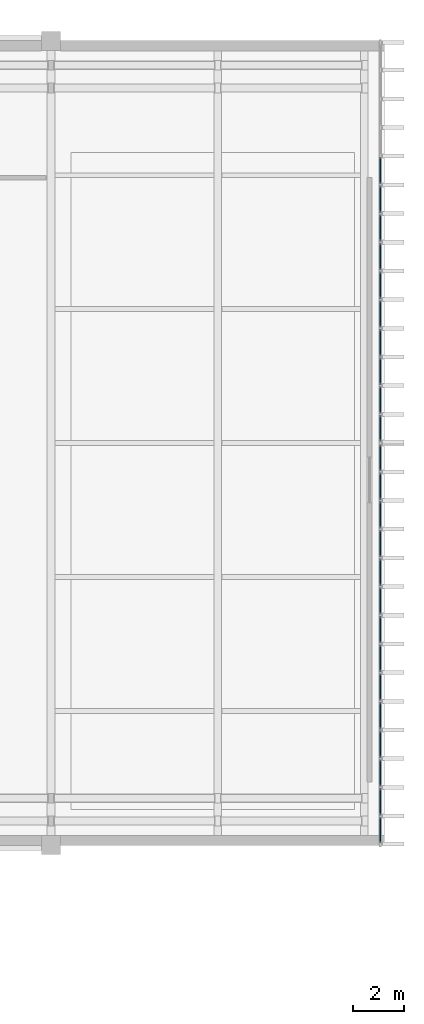
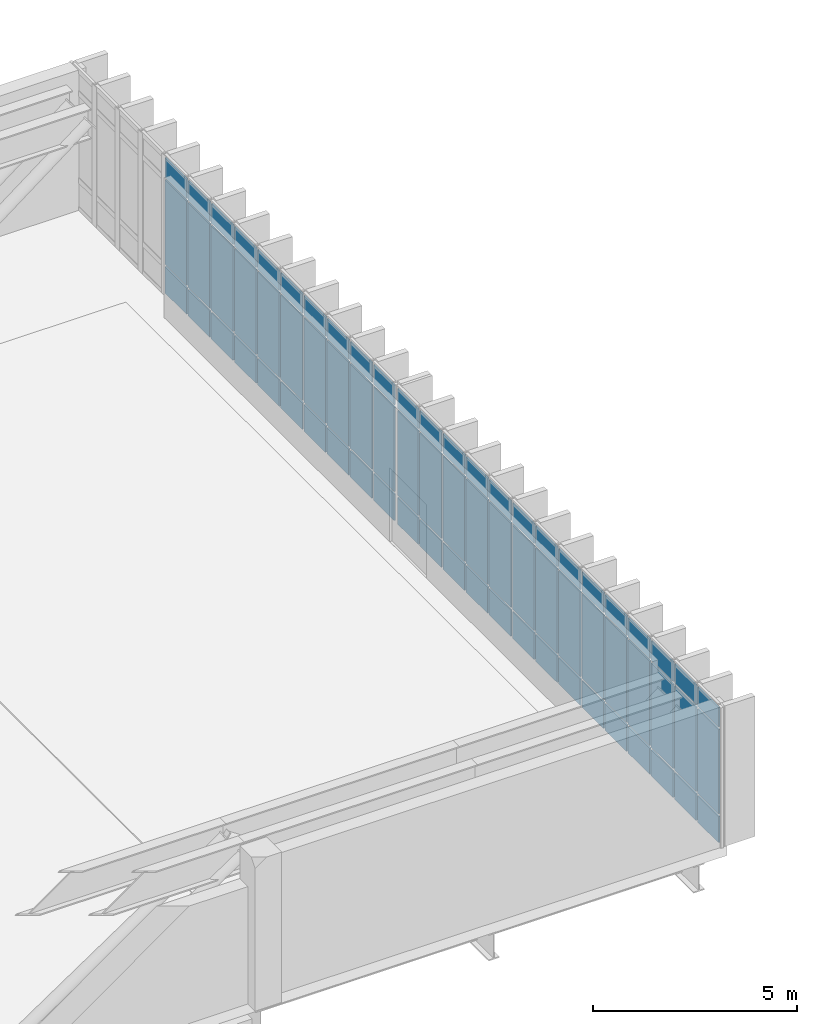
# One storey, part 34 of 54: 72 plates, 2 elements without a shape of their own.
"""IFC4 building model written with IfcOpenShell, lengths in metres."""

from ifc_helpers import new_model, si_unit, direction, frame, origin, origin_2d, place, context, subcontext, project, spatial, rectangle, extrude, material, layer, layer_set, type_object, element, aggregate, save


model = new_model("IFC4")

# Units and contexts
model_context = context("Model", 3, precision=1e-05, world=origin(), true_north=direction((0.0, 1.0)))
body_context = subcontext(model_context, "Body", "Model", "MODEL_VIEW")
ifc_project = project(units=[si_unit("LENGTHUNIT", "METRE"), si_unit("AREAUNIT", "SQUARE_METRE"), si_unit("VOLUMEUNIT", "CUBIC_METRE"), si_unit("PLANEANGLEUNIT", "RADIAN"), si_unit("MASSUNIT", "GRAM", prefix="KILO")], contexts=[model_context])

# Site, building, storey
site_placement = place(None, origin())
site = spatial("IfcSite", under=ifc_project, at=site_placement, CompositionType="ELEMENT")
building_placement = place(site_placement, origin())
building = spatial("IfcBuilding", under=site, at=building_placement, Name="Kelarvand Opera House", CompositionType="ELEMENT")
storey_placement = place(building_placement, frame((0.0, 0.0, 15.0)))
storey = spatial("IfcBuildingStorey", under=building, at=storey_placement, Name="L03", CompositionType="ELEMENT", Elevation=15.0)

# Curtain wall, plates
ifc_material_1 = material(Name="Thermally broken aluminium and low-E glazing", Category="aluminium")
ifc_layer_1 = layer(ifc_material_1, 0.219970703125, Name="Thermally broken aluminium and low-E glazing", Category="aluminium")
ifc_layer_set_1 = layer_set([ifc_layer_1], Name="Thermally broken aluminium and low-E glazing")
curtain_wall_type = type_object("IfcCurtainWallType", Name="Unitised Low-E Curtain Wall 15886x4200 Mod 1150 CWF-07", PredefinedType="USERDEFINED", material=ifc_layer_set_1)
curtain_wall_1_placement = place(storey_placement, origin())
curtain_wall_1 = element("IfcCurtainWall", 1, at=curtain_wall_1_placement, inside=storey, type_object=curtain_wall_type, Name="V1 L03 Curtain Wall CWF-07 (21)", ObjectType="UNITISED CURTAIN WALL", PredefinedType="USERDEFINED")
ifc_material_2 = material(Name="Acoustic triple-laminated low-E glazing", Category="glass")
ifc_layer_2 = layer(ifc_material_2, 0.0400390625, Name="Acoustic triple-laminated low-E glazing", Category="glass")
ifc_layer_set_2 = layer_set([ifc_layer_2], Name="Acoustic triple-laminated low-E glazing")
plate_type = type_object("IfcPlateType", Name="Acoustic Laminated Plaza Curtain Panel 40mm", PredefinedType="CURTAIN_PANEL", material=ifc_layer_set_2)
plate_1_placement = place(storey_placement, frame((154.820068359375, 73.28369140625, 0.074951171875), z_axis=(0.0, 0.0, 1.0), x_axis=(0.0, -1.0, 0.0)))
plate_1 = element("IfcPlate", 2, at=plate_1_placement, type_object=plate_type, Name="CWF-07 panel 5.1", PredefinedType="CURTAIN_PANEL", context=body_context, shape_type="SweptSolid", body=[
    extrude(rectangle(XDim=1.059814453125, YDim=0.0400390625, at=origin_2d()), origin(), (0.0, 0.0, 1.0), 0.78759765625),
])
plate_2_placement = place(storey_placement, frame((154.820068359375, 73.28369140625, 0.9375), z_axis=(0.0, 0.0, 1.0), x_axis=(0.0, -1.0, 0.0)))
plate_2 = element("IfcPlate", 3, at=plate_2_placement, type_object=plate_type, Name="CWF-07 panel 5.2", PredefinedType="CURTAIN_PANEL", context=body_context, shape_type="SweptSolid", body=[
    extrude(rectangle(XDim=1.059814453125, YDim=0.0400390625, at=origin_2d()), origin(), (0.0, 0.0, 1.0), 2.52490234375),
])
plate_3_placement = place(storey_placement, frame((154.820068359375, 73.28369140625, 3.53759765625), z_axis=(0.0, 0.0, 1.0), x_axis=(0.0, -1.0, 0.0)))
plate_3 = element("IfcPlate", 4, at=plate_3_placement, type_object=plate_type, Name="CWF-07 panel 5.3", PredefinedType="CURTAIN_PANEL", context=body_context, shape_type="SweptSolid", body=[
    extrude(rectangle(XDim=1.059814453125, YDim=0.0400390625, at=origin_2d()), origin(), (0.0, 0.0, 1.0), 0.58740234375),
])
plate_4_placement = place(storey_placement, frame((154.820068359375, 72.149169921875, 0.074951171875), z_axis=(0.0, 0.0, 1.0), x_axis=(0.0, -1.0, 0.0)))
plate_4 = element("IfcPlate", 5, at=plate_4_placement, type_object=plate_type, Name="CWF-07 panel 6.1", PredefinedType="CURTAIN_PANEL", context=body_context, shape_type="SweptSolid", body=[
    extrude(rectangle(XDim=1.059814453125, YDim=0.0400390625, at=origin_2d()), origin(), (0.0, 0.0, 1.0), 0.78759765625),
])
plate_5_placement = place(storey_placement, frame((154.820068359375, 72.149169921875, 0.9375), z_axis=(0.0, 0.0, 1.0), x_axis=(0.0, -1.0, 0.0)))
plate_5 = element("IfcPlate", 6, at=plate_5_placement, type_object=plate_type, Name="CWF-07 panel 6.2", PredefinedType="CURTAIN_PANEL", context=body_context, shape_type="SweptSolid", body=[
    extrude(rectangle(XDim=1.059814453125, YDim=0.0400390625, at=origin_2d()), origin(), (0.0, 0.0, 1.0), 2.52490234375),
])
plate_6_placement = place(storey_placement, frame((154.820068359375, 72.149169921875, 3.53759765625), z_axis=(0.0, 0.0, 1.0), x_axis=(0.0, -1.0, 0.0)))
plate_6 = element("IfcPlate", 7, at=plate_6_placement, type_object=plate_type, Name="CWF-07 panel 6.3", PredefinedType="CURTAIN_PANEL", context=body_context, shape_type="SweptSolid", body=[
    extrude(rectangle(XDim=1.059814453125, YDim=0.0400390625, at=origin_2d()), origin(), (0.0, 0.0, 1.0), 0.58740234375),
])
plate_7_placement = place(storey_placement, frame((154.820068359375, 71.014404296875, 0.074951171875), z_axis=(0.0, 0.0, 1.0), x_axis=(0.0, -1.0, 0.0)))
plate_7 = element("IfcPlate", 8, at=plate_7_placement, type_object=plate_type, Name="CWF-07 panel 7.1", PredefinedType="CURTAIN_PANEL", context=body_context, shape_type="SweptSolid", body=[
    extrude(rectangle(XDim=1.059814453125, YDim=0.0400390625, at=origin_2d()), origin(), (0.0, 0.0, 1.0), 0.78759765625),
])
plate_8_placement = place(storey_placement, frame((154.820068359375, 71.014404296875, 0.9375), z_axis=(0.0, 0.0, 1.0), x_axis=(0.0, -1.0, 0.0)))
plate_8 = element("IfcPlate", 9, at=plate_8_placement, type_object=plate_type, Name="CWF-07 panel 7.2", PredefinedType="CURTAIN_PANEL", context=body_context, shape_type="SweptSolid", body=[
    extrude(rectangle(XDim=1.059814453125, YDim=0.0400390625, at=origin_2d()), origin(), (0.0, 0.0, 1.0), 2.52490234375),
])
plate_9_placement = place(storey_placement, frame((154.820068359375, 71.014404296875, 3.53759765625), z_axis=(0.0, 0.0, 1.0), x_axis=(0.0, -1.0, 0.0)))
plate_9 = element("IfcPlate", 10, at=plate_9_placement, type_object=plate_type, Name="CWF-07 panel 7.3", PredefinedType="CURTAIN_PANEL", context=body_context, shape_type="SweptSolid", body=[
    extrude(rectangle(XDim=1.059814453125, YDim=0.0400390625, at=origin_2d()), origin(), (0.0, 0.0, 1.0), 0.58740234375),
])
plate_10_placement = place(storey_placement, frame((154.820068359375, 69.879638671875, 0.074951171875), z_axis=(0.0, 0.0, 1.0), x_axis=(0.0, -1.0, 0.0)))
plate_10 = element("IfcPlate", 11, at=plate_10_placement, type_object=plate_type, Name="CWF-07 panel 8.1", PredefinedType="CURTAIN_PANEL", context=body_context, shape_type="SweptSolid", body=[
    extrude(rectangle(XDim=1.059814453125, YDim=0.0400390625, at=origin_2d()), origin(), (0.0, 0.0, 1.0), 0.78759765625),
])
plate_11_placement = place(storey_placement, frame((154.820068359375, 69.879638671875, 0.9375), z_axis=(0.0, 0.0, 1.0), x_axis=(0.0, -1.0, 0.0)))
plate_11 = element("IfcPlate", 12, at=plate_11_placement, type_object=plate_type, Name="CWF-07 panel 8.2", PredefinedType="CURTAIN_PANEL", context=body_context, shape_type="SweptSolid", body=[
    extrude(rectangle(XDim=1.059814453125, YDim=0.0400390625, at=origin_2d()), origin(), (0.0, 0.0, 1.0), 2.52490234375),
])
plate_12_placement = place(storey_placement, frame((154.820068359375, 69.879638671875, 3.53759765625), z_axis=(0.0, 0.0, 1.0), x_axis=(0.0, -1.0, 0.0)))
plate_12 = element("IfcPlate", 13, at=plate_12_placement, type_object=plate_type, Name="CWF-07 panel 8.3", PredefinedType="CURTAIN_PANEL", context=body_context, shape_type="SweptSolid", body=[
    extrude(rectangle(XDim=1.059814453125, YDim=0.0400390625, at=origin_2d()), origin(), (0.0, 0.0, 1.0), 0.58740234375),
])
plate_13_placement = place(storey_placement, frame((154.820068359375, 68.744873046875, 0.074951171875), z_axis=(0.0, 0.0, 1.0), x_axis=(0.0, -1.0, 0.0)))
plate_13 = element("IfcPlate", 14, at=plate_13_placement, type_object=plate_type, Name="CWF-07 panel 9.1", PredefinedType="CURTAIN_PANEL", context=body_context, shape_type="SweptSolid", body=[
    extrude(rectangle(XDim=1.059814453125, YDim=0.0400390625, at=origin_2d()), origin(), (0.0, 0.0, 1.0), 0.78759765625),
])
plate_14_placement = place(storey_placement, frame((154.820068359375, 68.744873046875, 0.9375), z_axis=(0.0, 0.0, 1.0), x_axis=(0.0, -1.0, 0.0)))
plate_14 = element("IfcPlate", 15, at=plate_14_placement, type_object=plate_type, Name="CWF-07 panel 9.2", PredefinedType="CURTAIN_PANEL", context=body_context, shape_type="SweptSolid", body=[
    extrude(rectangle(XDim=1.059814453125, YDim=0.0400390625, at=origin_2d()), origin(), (0.0, 0.0, 1.0), 2.52490234375),
])
plate_15_placement = place(storey_placement, frame((154.820068359375, 68.744873046875, 3.53759765625), z_axis=(0.0, 0.0, 1.0), x_axis=(0.0, -1.0, 0.0)))
plate_15 = element("IfcPlate", 16, at=plate_15_placement, type_object=plate_type, Name="CWF-07 panel 9.3", PredefinedType="CURTAIN_PANEL", context=body_context, shape_type="SweptSolid", body=[
    extrude(rectangle(XDim=1.059814453125, YDim=0.0400390625, at=origin_2d()), origin(), (0.0, 0.0, 1.0), 0.58740234375),
])
plate_16_placement = place(storey_placement, frame((154.820068359375, 67.610107421875, 0.074951171875), z_axis=(0.0, 0.0, 1.0), x_axis=(0.0, -1.0, 0.0)))
plate_16 = element("IfcPlate", 17, at=plate_16_placement, type_object=plate_type, Name="CWF-07 panel 10.1", PredefinedType="CURTAIN_PANEL", context=body_context, shape_type="SweptSolid", body=[
    extrude(rectangle(XDim=1.059814453125, YDim=0.0400390625, at=origin_2d()), origin(), (0.0, 0.0, 1.0), 0.78759765625),
])
plate_17_placement = place(storey_placement, frame((154.820068359375, 67.610107421875, 0.9375), z_axis=(0.0, 0.0, 1.0), x_axis=(0.0, -1.0, 0.0)))
plate_17 = element("IfcPlate", 18, at=plate_17_placement, type_object=plate_type, Name="CWF-07 panel 10.2", PredefinedType="CURTAIN_PANEL", context=body_context, shape_type="SweptSolid", body=[
    extrude(rectangle(XDim=1.059814453125, YDim=0.0400390625, at=origin_2d()), origin(), (0.0, 0.0, 1.0), 2.52490234375),
])
plate_18_placement = place(storey_placement, frame((154.820068359375, 67.610107421875, 3.53759765625), z_axis=(0.0, 0.0, 1.0), x_axis=(0.0, -1.0, 0.0)))
plate_18 = element("IfcPlate", 19, at=plate_18_placement, type_object=plate_type, Name="CWF-07 panel 10.3", PredefinedType="CURTAIN_PANEL", context=body_context, shape_type="SweptSolid", body=[
    extrude(rectangle(XDim=1.059814453125, YDim=0.0400390625, at=origin_2d()), origin(), (0.0, 0.0, 1.0), 0.58740234375),
])
plate_19_placement = place(storey_placement, frame((154.820068359375, 66.4755859375, 0.074951171875), z_axis=(0.0, 0.0, 1.0), x_axis=(0.0, -1.0, 0.0)))
plate_19 = element("IfcPlate", 20, at=plate_19_placement, type_object=plate_type, Name="CWF-07 panel 11.1", PredefinedType="CURTAIN_PANEL", context=body_context, shape_type="SweptSolid", body=[
    extrude(rectangle(XDim=1.059814453125, YDim=0.0400390625, at=origin_2d()), origin(), (0.0, 0.0, 1.0), 0.78759765625),
])
plate_20_placement = place(storey_placement, frame((154.820068359375, 66.4755859375, 0.9375), z_axis=(0.0, 0.0, 1.0), x_axis=(0.0, -1.0, 0.0)))
plate_20 = element("IfcPlate", 21, at=plate_20_placement, type_object=plate_type, Name="CWF-07 panel 11.2", PredefinedType="CURTAIN_PANEL", context=body_context, shape_type="SweptSolid", body=[
    extrude(rectangle(XDim=1.059814453125, YDim=0.0400390625, at=origin_2d()), origin(), (0.0, 0.0, 1.0), 2.52490234375),
])
plate_21_placement = place(storey_placement, frame((154.820068359375, 66.4755859375, 3.53759765625), z_axis=(0.0, 0.0, 1.0), x_axis=(0.0, -1.0, 0.0)))
plate_21 = element("IfcPlate", 22, at=plate_21_placement, type_object=plate_type, Name="CWF-07 panel 11.3", PredefinedType="CURTAIN_PANEL", context=body_context, shape_type="SweptSolid", body=[
    extrude(rectangle(XDim=1.059814453125, YDim=0.0400390625, at=origin_2d()), origin(), (0.0, 0.0, 1.0), 0.58740234375),
])
plate_22_placement = place(storey_placement, frame((154.820068359375, 65.3408203125, 0.074951171875), z_axis=(0.0, 0.0, 1.0), x_axis=(0.0, -1.0, 0.0)))
plate_22 = element("IfcPlate", 23, at=plate_22_placement, type_object=plate_type, Name="CWF-07 panel 12.1", PredefinedType="CURTAIN_PANEL", context=body_context, shape_type="SweptSolid", body=[
    extrude(rectangle(XDim=1.059814453125, YDim=0.0400390625, at=origin_2d()), origin(), (0.0, 0.0, 1.0), 0.78759765625),
])
plate_23_placement = place(storey_placement, frame((154.820068359375, 65.3408203125, 0.9375), z_axis=(0.0, 0.0, 1.0), x_axis=(0.0, -1.0, 0.0)))
plate_23 = element("IfcPlate", 24, at=plate_23_placement, type_object=plate_type, Name="CWF-07 panel 12.2", PredefinedType="CURTAIN_PANEL", context=body_context, shape_type="SweptSolid", body=[
    extrude(rectangle(XDim=1.059814453125, YDim=0.0400390625, at=origin_2d()), origin(), (0.0, 0.0, 1.0), 2.52490234375),
])
plate_24_placement = place(storey_placement, frame((154.820068359375, 65.3408203125, 3.53759765625), z_axis=(0.0, 0.0, 1.0), x_axis=(0.0, -1.0, 0.0)))
plate_24 = element("IfcPlate", 25, at=plate_24_placement, type_object=plate_type, Name="CWF-07 panel 12.3", PredefinedType="CURTAIN_PANEL", context=body_context, shape_type="SweptSolid", body=[
    extrude(rectangle(XDim=1.059814453125, YDim=0.0400390625, at=origin_2d()), origin(), (0.0, 0.0, 1.0), 0.58740234375),
])
plate_25_placement = place(storey_placement, frame((154.820068359375, 64.2060546875, 0.074951171875), z_axis=(0.0, 0.0, 1.0), x_axis=(0.0, -1.0, 0.0)))
plate_25 = element("IfcPlate", 26, at=plate_25_placement, type_object=plate_type, Name="CWF-07 panel 13.1", PredefinedType="CURTAIN_PANEL", context=body_context, shape_type="SweptSolid", body=[
    extrude(rectangle(XDim=1.059814453125, YDim=0.0400390625, at=origin_2d()), origin(), (0.0, 0.0, 1.0), 0.78759765625),
])
plate_26_placement = place(storey_placement, frame((154.820068359375, 64.2060546875, 0.9375), z_axis=(0.0, 0.0, 1.0), x_axis=(0.0, -1.0, 0.0)))
plate_26 = element("IfcPlate", 27, at=plate_26_placement, type_object=plate_type, Name="CWF-07 panel 13.2", PredefinedType="CURTAIN_PANEL", context=body_context, shape_type="SweptSolid", body=[
    extrude(rectangle(XDim=1.059814453125, YDim=0.0400390625, at=origin_2d()), origin(), (0.0, 0.0, 1.0), 2.52490234375),
])
plate_27_placement = place(storey_placement, frame((154.820068359375, 64.2060546875, 3.53759765625), z_axis=(0.0, 0.0, 1.0), x_axis=(0.0, -1.0, 0.0)))
plate_27 = element("IfcPlate", 28, at=plate_27_placement, type_object=plate_type, Name="CWF-07 panel 13.3", PredefinedType="CURTAIN_PANEL", context=body_context, shape_type="SweptSolid", body=[
    extrude(rectangle(XDim=1.059814453125, YDim=0.0400390625, at=origin_2d()), origin(), (0.0, 0.0, 1.0), 0.58740234375),
])
plate_28_placement = place(storey_placement, frame((154.820068359375, 63.090087890625, 0.074951171875), z_axis=(0.0, 0.0, 1.0), x_axis=(0.0, -1.0, 0.0)))
plate_28 = element("IfcPlate", 29, at=plate_28_placement, type_object=plate_type, Name="CWF-07 panel 14.1", PredefinedType="CURTAIN_PANEL", context=body_context, shape_type="SweptSolid", body=[
    extrude(rectangle(XDim=1.022216796875, YDim=0.0400390625, at=origin_2d()), origin(), (0.0, 0.0, 1.0), 0.78759765625),
])
plate_29_placement = place(storey_placement, frame((154.820068359375, 63.090087890625, 0.9375), z_axis=(0.0, 0.0, 1.0), x_axis=(0.0, -1.0, 0.0)))
plate_29 = element("IfcPlate", 30, at=plate_29_placement, type_object=plate_type, Name="CWF-07 panel 14.2", PredefinedType="CURTAIN_PANEL", context=body_context, shape_type="SweptSolid", body=[
    extrude(rectangle(XDim=1.022216796875, YDim=0.0400390625, at=origin_2d()), origin(), (0.0, 0.0, 1.0), 2.52490234375),
])
plate_30_placement = place(storey_placement, frame((154.820068359375, 63.090087890625, 3.53759765625), z_axis=(0.0, 0.0, 1.0), x_axis=(0.0, -1.0, 0.0)))
plate_30 = element("IfcPlate", 31, at=plate_30_placement, type_object=plate_type, Name="CWF-07 panel 14.3", PredefinedType="CURTAIN_PANEL", context=body_context, shape_type="SweptSolid", body=[
    extrude(rectangle(XDim=1.022216796875, YDim=0.0400390625, at=origin_2d()), origin(), (0.0, 0.0, 1.0), 0.58740234375),
])
aggregate(curtain_wall_1, [plate_1, plate_2, plate_3, plate_4, plate_5, plate_6, plate_7, plate_8, plate_9, plate_10, plate_11, plate_12, plate_13, plate_14, plate_15, plate_16, plate_17, plate_18, plate_19, plate_20, plate_21, plate_22, plate_23, plate_24, plate_25, plate_26, plate_27, plate_28, plate_29, plate_30])

curtain_wall_2_placement = place(storey_placement, origin())
curtain_wall_2 = element("IfcCurtainWall", 32, at=curtain_wall_2_placement, inside=storey, type_object=curtain_wall_type, Name="V1 L03 Curtain Wall CWF-07 (22)", ObjectType="UNITISED CURTAIN WALL", PredefinedType="USERDEFINED")
plate_31_placement = place(storey_placement, frame((154.820068359375, 61.913818359375, 0.074951171875), z_axis=(0.0, 0.0, 1.0), x_axis=(0.0, -1.0, 0.0)))
plate_31 = element("IfcPlate", 33, at=plate_31_placement, type_object=plate_type, Name="CWF-07 panel 1.1", PredefinedType="CURTAIN_PANEL", context=body_context, shape_type="SweptSolid", body=[
    extrude(rectangle(XDim=1.0224609375, YDim=0.0400390625, at=origin_2d()), origin(), (0.0, 0.0, 1.0), 0.78759765625),
])
plate_32_placement = place(storey_placement, frame((154.820068359375, 61.913818359375, 0.9375), z_axis=(0.0, 0.0, 1.0), x_axis=(0.0, -1.0, 0.0)))
plate_32 = element("IfcPlate", 34, at=plate_32_placement, type_object=plate_type, Name="CWF-07 panel 1.2", PredefinedType="CURTAIN_PANEL", context=body_context, shape_type="SweptSolid", body=[
    extrude(rectangle(XDim=1.0224609375, YDim=0.0400390625, at=origin_2d()), origin(), (0.0, 0.0, 1.0), 2.52490234375),
])
plate_33_placement = place(storey_placement, frame((154.820068359375, 61.913818359375, 3.53759765625), z_axis=(0.0, 0.0, 1.0), x_axis=(0.0, -1.0, 0.0)))
plate_33 = element("IfcPlate", 35, at=plate_33_placement, type_object=plate_type, Name="CWF-07 panel 1.3", PredefinedType="CURTAIN_PANEL", context=body_context, shape_type="SweptSolid", body=[
    extrude(rectangle(XDim=1.0224609375, YDim=0.0400390625, at=origin_2d()), origin(), (0.0, 0.0, 1.0), 0.58740234375),
])
plate_34_placement = place(storey_placement, frame((154.820068359375, 60.797607421875, 0.074951171875), z_axis=(0.0, 0.0, 1.0), x_axis=(0.0, -1.0, 0.0)))
plate_34 = element("IfcPlate", 36, at=plate_34_placement, type_object=plate_type, Name="CWF-07 panel 2.1", PredefinedType="CURTAIN_PANEL", context=body_context, shape_type="SweptSolid", body=[
    extrude(rectangle(XDim=1.06005859375, YDim=0.0400390625, at=origin_2d()), origin(), (0.0, 0.0, 1.0), 0.78759765625),
])
plate_35_placement = place(storey_placement, frame((154.820068359375, 60.797607421875, 0.9375), z_axis=(0.0, 0.0, 1.0), x_axis=(0.0, -1.0, 0.0)))
plate_35 = element("IfcPlate", 37, at=plate_35_placement, type_object=plate_type, Name="CWF-07 panel 2.2", PredefinedType="CURTAIN_PANEL", context=body_context, shape_type="SweptSolid", body=[
    extrude(rectangle(XDim=1.06005859375, YDim=0.0400390625, at=origin_2d()), origin(), (0.0, 0.0, 1.0), 2.52490234375),
])
plate_36_placement = place(storey_placement, frame((154.820068359375, 60.797607421875, 3.53759765625), z_axis=(0.0, 0.0, 1.0), x_axis=(0.0, -1.0, 0.0)))
plate_36 = element("IfcPlate", 38, at=plate_36_placement, type_object=plate_type, Name="CWF-07 panel 2.3", PredefinedType="CURTAIN_PANEL", context=body_context, shape_type="SweptSolid", body=[
    extrude(rectangle(XDim=1.06005859375, YDim=0.0400390625, at=origin_2d()), origin(), (0.0, 0.0, 1.0), 0.58740234375),
])
plate_37_placement = place(storey_placement, frame((154.820068359375, 59.66259765625, 0.074951171875), z_axis=(0.0, 0.0, 1.0), x_axis=(0.0, -1.0, 0.0)))
plate_37 = element("IfcPlate", 39, at=plate_37_placement, type_object=plate_type, Name="CWF-07 panel 3.1", PredefinedType="CURTAIN_PANEL", context=body_context, shape_type="SweptSolid", body=[
    extrude(rectangle(XDim=1.06005859375, YDim=0.0400390625, at=origin_2d()), origin(), (0.0, 0.0, 1.0), 0.78759765625),
])
plate_38_placement = place(storey_placement, frame((154.820068359375, 59.66259765625, 0.9375), z_axis=(0.0, 0.0, 1.0), x_axis=(0.0, -1.0, 0.0)))
plate_38 = element("IfcPlate", 40, at=plate_38_placement, type_object=plate_type, Name="CWF-07 panel 3.2", PredefinedType="CURTAIN_PANEL", context=body_context, shape_type="SweptSolid", body=[
    extrude(rectangle(XDim=1.06005859375, YDim=0.0400390625, at=origin_2d()), origin(), (0.0, 0.0, 1.0), 2.52490234375),
])
plate_39_placement = place(storey_placement, frame((154.820068359375, 59.66259765625, 3.53759765625), z_axis=(0.0, 0.0, 1.0), x_axis=(0.0, -1.0, 0.0)))
plate_39 = element("IfcPlate", 41, at=plate_39_placement, type_object=plate_type, Name="CWF-07 panel 3.3", PredefinedType="CURTAIN_PANEL", context=body_context, shape_type="SweptSolid", body=[
    extrude(rectangle(XDim=1.06005859375, YDim=0.0400390625, at=origin_2d()), origin(), (0.0, 0.0, 1.0), 0.58740234375),
])
plate_40_placement = place(storey_placement, frame((154.820068359375, 58.527587890625, 0.074951171875), z_axis=(0.0, 0.0, 1.0), x_axis=(0.0, -1.0, 0.0)))
plate_40 = element("IfcPlate", 42, at=plate_40_placement, type_object=plate_type, Name="CWF-07 panel 4.1", PredefinedType="CURTAIN_PANEL", context=body_context, shape_type="SweptSolid", body=[
    extrude(rectangle(XDim=1.06005859375, YDim=0.0400390625, at=origin_2d()), origin(), (0.0, 0.0, 1.0), 0.78759765625),
])
plate_41_placement = place(storey_placement, frame((154.820068359375, 58.527587890625, 0.9375), z_axis=(0.0, 0.0, 1.0), x_axis=(0.0, -1.0, 0.0)))
plate_41 = element("IfcPlate", 43, at=plate_41_placement, type_object=plate_type, Name="CWF-07 panel 4.2", PredefinedType="CURTAIN_PANEL", context=body_context, shape_type="SweptSolid", body=[
    extrude(rectangle(XDim=1.06005859375, YDim=0.0400390625, at=origin_2d()), origin(), (0.0, 0.0, 1.0), 2.52490234375),
])
plate_42_placement = place(storey_placement, frame((154.820068359375, 58.527587890625, 3.53759765625), z_axis=(0.0, 0.0, 1.0), x_axis=(0.0, -1.0, 0.0)))
plate_42 = element("IfcPlate", 44, at=plate_42_placement, type_object=plate_type, Name="CWF-07 panel 4.3", PredefinedType="CURTAIN_PANEL", context=body_context, shape_type="SweptSolid", body=[
    extrude(rectangle(XDim=1.06005859375, YDim=0.0400390625, at=origin_2d()), origin(), (0.0, 0.0, 1.0), 0.58740234375),
])
plate_43_placement = place(storey_placement, frame((154.820068359375, 57.392578125, 0.074951171875), z_axis=(0.0, 0.0, 1.0), x_axis=(0.0, -1.0, 0.0)))
plate_43 = element("IfcPlate", 45, at=plate_43_placement, type_object=plate_type, Name="CWF-07 panel 5.1", PredefinedType="CURTAIN_PANEL", context=body_context, shape_type="SweptSolid", body=[
    extrude(rectangle(XDim=1.06005859375, YDim=0.0400390625, at=origin_2d()), origin(), (0.0, 0.0, 1.0), 0.78759765625),
])
plate_44_placement = place(storey_placement, frame((154.820068359375, 57.392578125, 0.9375), z_axis=(0.0, 0.0, 1.0), x_axis=(0.0, -1.0, 0.0)))
plate_44 = element("IfcPlate", 46, at=plate_44_placement, type_object=plate_type, Name="CWF-07 panel 5.2", PredefinedType="CURTAIN_PANEL", context=body_context, shape_type="SweptSolid", body=[
    extrude(rectangle(XDim=1.06005859375, YDim=0.0400390625, at=origin_2d()), origin(), (0.0, 0.0, 1.0), 2.52490234375),
])
plate_45_placement = place(storey_placement, frame((154.820068359375, 57.392578125, 3.53759765625), z_axis=(0.0, 0.0, 1.0), x_axis=(0.0, -1.0, 0.0)))
plate_45 = element("IfcPlate", 47, at=plate_45_placement, type_object=plate_type, Name="CWF-07 panel 5.3", PredefinedType="CURTAIN_PANEL", context=body_context, shape_type="SweptSolid", body=[
    extrude(rectangle(XDim=1.06005859375, YDim=0.0400390625, at=origin_2d()), origin(), (0.0, 0.0, 1.0), 0.58740234375),
])
plate_46_placement = place(storey_placement, frame((154.820068359375, 56.257568359375, 0.074951171875), z_axis=(0.0, 0.0, 1.0), x_axis=(0.0, -1.0, 0.0)))
plate_46 = element("IfcPlate", 48, at=plate_46_placement, type_object=plate_type, Name="CWF-07 panel 6.1", PredefinedType="CURTAIN_PANEL", context=body_context, shape_type="SweptSolid", body=[
    extrude(rectangle(XDim=1.06005859375, YDim=0.0400390625, at=origin_2d()), origin(), (0.0, 0.0, 1.0), 0.78759765625),
])
plate_47_placement = place(storey_placement, frame((154.820068359375, 56.257568359375, 0.9375), z_axis=(0.0, 0.0, 1.0), x_axis=(0.0, -1.0, 0.0)))
plate_47 = element("IfcPlate", 49, at=plate_47_placement, type_object=plate_type, Name="CWF-07 panel 6.2", PredefinedType="CURTAIN_PANEL", context=body_context, shape_type="SweptSolid", body=[
    extrude(rectangle(XDim=1.06005859375, YDim=0.0400390625, at=origin_2d()), origin(), (0.0, 0.0, 1.0), 2.52490234375),
])
plate_48_placement = place(storey_placement, frame((154.820068359375, 56.257568359375, 3.53759765625), z_axis=(0.0, 0.0, 1.0), x_axis=(0.0, -1.0, 0.0)))
plate_48 = element("IfcPlate", 50, at=plate_48_placement, type_object=plate_type, Name="CWF-07 panel 6.3", PredefinedType="CURTAIN_PANEL", context=body_context, shape_type="SweptSolid", body=[
    extrude(rectangle(XDim=1.06005859375, YDim=0.0400390625, at=origin_2d()), origin(), (0.0, 0.0, 1.0), 0.58740234375),
])
plate_49_placement = place(storey_placement, frame((154.820068359375, 55.12255859375, 0.074951171875), z_axis=(0.0, 0.0, 1.0), x_axis=(0.0, -1.0, 0.0)))
plate_49 = element("IfcPlate", 51, at=plate_49_placement, type_object=plate_type, Name="CWF-07 panel 7.1", PredefinedType="CURTAIN_PANEL", context=body_context, shape_type="SweptSolid", body=[
    extrude(rectangle(XDim=1.06005859375, YDim=0.0400390625, at=origin_2d()), origin(), (0.0, 0.0, 1.0), 0.78759765625),
])
plate_50_placement = place(storey_placement, frame((154.820068359375, 55.12255859375, 0.9375), z_axis=(0.0, 0.0, 1.0), x_axis=(0.0, -1.0, 0.0)))
plate_50 = element("IfcPlate", 52, at=plate_50_placement, type_object=plate_type, Name="CWF-07 panel 7.2", PredefinedType="CURTAIN_PANEL", context=body_context, shape_type="SweptSolid", body=[
    extrude(rectangle(XDim=1.06005859375, YDim=0.0400390625, at=origin_2d()), origin(), (0.0, 0.0, 1.0), 2.52490234375),
])
plate_51_placement = place(storey_placement, frame((154.820068359375, 55.12255859375, 3.53759765625), z_axis=(0.0, 0.0, 1.0), x_axis=(0.0, -1.0, 0.0)))
plate_51 = element("IfcPlate", 53, at=plate_51_placement, type_object=plate_type, Name="CWF-07 panel 7.3", PredefinedType="CURTAIN_PANEL", context=body_context, shape_type="SweptSolid", body=[
    extrude(rectangle(XDim=1.06005859375, YDim=0.0400390625, at=origin_2d()), origin(), (0.0, 0.0, 1.0), 0.58740234375),
])
plate_52_placement = place(storey_placement, frame((154.820068359375, 53.987548828125, 0.074951171875), z_axis=(0.0, 0.0, 1.0), x_axis=(0.0, -1.0, 0.0)))
plate_52 = element("IfcPlate", 54, at=plate_52_placement, type_object=plate_type, Name="CWF-07 panel 8.1", PredefinedType="CURTAIN_PANEL", context=body_context, shape_type="SweptSolid", body=[
    extrude(rectangle(XDim=1.06005859375, YDim=0.0400390625, at=origin_2d()), origin(), (0.0, 0.0, 1.0), 0.78759765625),
])
plate_53_placement = place(storey_placement, frame((154.820068359375, 53.987548828125, 0.9375), z_axis=(0.0, 0.0, 1.0), x_axis=(0.0, -1.0, 0.0)))
plate_53 = element("IfcPlate", 55, at=plate_53_placement, type_object=plate_type, Name="CWF-07 panel 8.2", PredefinedType="CURTAIN_PANEL", context=body_context, shape_type="SweptSolid", body=[
    extrude(rectangle(XDim=1.06005859375, YDim=0.0400390625, at=origin_2d()), origin(), (0.0, 0.0, 1.0), 2.52490234375),
])
plate_54_placement = place(storey_placement, frame((154.820068359375, 53.987548828125, 3.53759765625), z_axis=(0.0, 0.0, 1.0), x_axis=(0.0, -1.0, 0.0)))
plate_54 = element("IfcPlate", 56, at=plate_54_placement, type_object=plate_type, Name="CWF-07 panel 8.3", PredefinedType="CURTAIN_PANEL", context=body_context, shape_type="SweptSolid", body=[
    extrude(rectangle(XDim=1.06005859375, YDim=0.0400390625, at=origin_2d()), origin(), (0.0, 0.0, 1.0), 0.58740234375),
])
plate_55_placement = place(storey_placement, frame((154.820068359375, 52.8525390625, 0.074951171875), z_axis=(0.0, 0.0, 1.0), x_axis=(0.0, -1.0, 0.0)))
plate_55 = element("IfcPlate", 57, at=plate_55_placement, type_object=plate_type, Name="CWF-07 panel 9.1", PredefinedType="CURTAIN_PANEL", context=body_context, shape_type="SweptSolid", body=[
    extrude(rectangle(XDim=1.06005859375, YDim=0.0400390625, at=origin_2d()), origin(), (0.0, 0.0, 1.0), 0.78759765625),
])
plate_56_placement = place(storey_placement, frame((154.820068359375, 52.8525390625, 0.9375), z_axis=(0.0, 0.0, 1.0), x_axis=(0.0, -1.0, 0.0)))
plate_56 = element("IfcPlate", 58, at=plate_56_placement, type_object=plate_type, Name="CWF-07 panel 9.2", PredefinedType="CURTAIN_PANEL", context=body_context, shape_type="SweptSolid", body=[
    extrude(rectangle(XDim=1.06005859375, YDim=0.0400390625, at=origin_2d()), origin(), (0.0, 0.0, 1.0), 2.52490234375),
])
plate_57_placement = place(storey_placement, frame((154.820068359375, 52.8525390625, 3.53759765625), z_axis=(0.0, 0.0, 1.0), x_axis=(0.0, -1.0, 0.0)))
plate_57 = element("IfcPlate", 59, at=plate_57_placement, type_object=plate_type, Name="CWF-07 panel 9.3", PredefinedType="CURTAIN_PANEL", context=body_context, shape_type="SweptSolid", body=[
    extrude(rectangle(XDim=1.06005859375, YDim=0.0400390625, at=origin_2d()), origin(), (0.0, 0.0, 1.0), 0.58740234375),
])
plate_58_placement = place(storey_placement, frame((154.820068359375, 51.717529296875, 0.074951171875), z_axis=(0.0, 0.0, 1.0), x_axis=(0.0, -1.0, 0.0)))
plate_58 = element("IfcPlate", 60, at=plate_58_placement, type_object=plate_type, Name="CWF-07 panel 10.1", PredefinedType="CURTAIN_PANEL", context=body_context, shape_type="SweptSolid", body=[
    extrude(rectangle(XDim=1.06005859375, YDim=0.0400390625, at=origin_2d()), origin(), (0.0, 0.0, 1.0), 0.78759765625),
])
plate_59_placement = place(storey_placement, frame((154.820068359375, 51.717529296875, 0.9375), z_axis=(0.0, 0.0, 1.0), x_axis=(0.0, -1.0, 0.0)))
plate_59 = element("IfcPlate", 61, at=plate_59_placement, type_object=plate_type, Name="CWF-07 panel 10.2", PredefinedType="CURTAIN_PANEL", context=body_context, shape_type="SweptSolid", body=[
    extrude(rectangle(XDim=1.06005859375, YDim=0.0400390625, at=origin_2d()), origin(), (0.0, 0.0, 1.0), 2.52490234375),
])
plate_60_placement = place(storey_placement, frame((154.820068359375, 51.717529296875, 3.53759765625), z_axis=(0.0, 0.0, 1.0), x_axis=(0.0, -1.0, 0.0)))
plate_60 = element("IfcPlate", 62, at=plate_60_placement, type_object=plate_type, Name="CWF-07 panel 10.3", PredefinedType="CURTAIN_PANEL", context=body_context, shape_type="SweptSolid", body=[
    extrude(rectangle(XDim=1.06005859375, YDim=0.0400390625, at=origin_2d()), origin(), (0.0, 0.0, 1.0), 0.58740234375),
])
plate_61_placement = place(storey_placement, frame((154.820068359375, 50.58251953125, 0.074951171875), z_axis=(0.0, 0.0, 1.0), x_axis=(0.0, -1.0, 0.0)))
plate_61 = element("IfcPlate", 63, at=plate_61_placement, type_object=plate_type, Name="CWF-07 panel 11.1", PredefinedType="CURTAIN_PANEL", context=body_context, shape_type="SweptSolid", body=[
    extrude(rectangle(XDim=1.06005859375, YDim=0.0400390625, at=origin_2d()), origin(), (0.0, 0.0, 1.0), 0.78759765625),
])
plate_62_placement = place(storey_placement, frame((154.820068359375, 50.58251953125, 0.9375), z_axis=(0.0, 0.0, 1.0), x_axis=(0.0, -1.0, 0.0)))
plate_62 = element("IfcPlate", 64, at=plate_62_placement, type_object=plate_type, Name="CWF-07 panel 11.2", PredefinedType="CURTAIN_PANEL", context=body_context, shape_type="SweptSolid", body=[
    extrude(rectangle(XDim=1.06005859375, YDim=0.0400390625, at=origin_2d()), origin(), (0.0, 0.0, 1.0), 2.52490234375),
])
plate_63_placement = place(storey_placement, frame((154.820068359375, 50.58251953125, 3.53759765625), z_axis=(0.0, 0.0, 1.0), x_axis=(0.0, -1.0, 0.0)))
plate_63 = element("IfcPlate", 65, at=plate_63_placement, type_object=plate_type, Name="CWF-07 panel 11.3", PredefinedType="CURTAIN_PANEL", context=body_context, shape_type="SweptSolid", body=[
    extrude(rectangle(XDim=1.06005859375, YDim=0.0400390625, at=origin_2d()), origin(), (0.0, 0.0, 1.0), 0.58740234375),
])
plate_64_placement = place(storey_placement, frame((154.820068359375, 49.447509765625, 0.074951171875), z_axis=(0.0, 0.0, 1.0), x_axis=(0.0, -1.0, 0.0)))
plate_64 = element("IfcPlate", 66, at=plate_64_placement, type_object=plate_type, Name="CWF-07 panel 12.1", PredefinedType="CURTAIN_PANEL", context=body_context, shape_type="SweptSolid", body=[
    extrude(rectangle(XDim=1.06005859375, YDim=0.0400390625, at=origin_2d()), origin(), (0.0, 0.0, 1.0), 0.78759765625),
])
plate_65_placement = place(storey_placement, frame((154.820068359375, 49.447509765625, 0.9375), z_axis=(0.0, 0.0, 1.0), x_axis=(0.0, -1.0, 0.0)))
plate_65 = element("IfcPlate", 67, at=plate_65_placement, type_object=plate_type, Name="CWF-07 panel 12.2", PredefinedType="CURTAIN_PANEL", context=body_context, shape_type="SweptSolid", body=[
    extrude(rectangle(XDim=1.06005859375, YDim=0.0400390625, at=origin_2d()), origin(), (0.0, 0.0, 1.0), 2.52490234375),
])
plate_66_placement = place(storey_placement, frame((154.820068359375, 49.447509765625, 3.53759765625), z_axis=(0.0, 0.0, 1.0), x_axis=(0.0, -1.0, 0.0)))
plate_66 = element("IfcPlate", 68, at=plate_66_placement, type_object=plate_type, Name="CWF-07 panel 12.3", PredefinedType="CURTAIN_PANEL", context=body_context, shape_type="SweptSolid", body=[
    extrude(rectangle(XDim=1.06005859375, YDim=0.0400390625, at=origin_2d()), origin(), (0.0, 0.0, 1.0), 0.58740234375),
])
plate_67_placement = place(storey_placement, frame((154.820068359375, 48.3125, 0.074951171875), z_axis=(0.0, 0.0, 1.0), x_axis=(0.0, -1.0, 0.0)))
plate_67 = element("IfcPlate", 69, at=plate_67_placement, type_object=plate_type, Name="CWF-07 panel 13.1", PredefinedType="CURTAIN_PANEL", context=body_context, shape_type="SweptSolid", body=[
    extrude(rectangle(XDim=1.06005859375, YDim=0.0400390625, at=origin_2d()), origin(), (0.0, 0.0, 1.0), 0.78759765625),
])
plate_68_placement = place(storey_placement, frame((154.820068359375, 48.3125, 0.9375), z_axis=(0.0, 0.0, 1.0), x_axis=(0.0, -1.0, 0.0)))
plate_68 = element("IfcPlate", 70, at=plate_68_placement, type_object=plate_type, Name="CWF-07 panel 13.2", PredefinedType="CURTAIN_PANEL", context=body_context, shape_type="SweptSolid", body=[
    extrude(rectangle(XDim=1.06005859375, YDim=0.0400390625, at=origin_2d()), origin(), (0.0, 0.0, 1.0), 2.52490234375),
])
plate_69_placement = place(storey_placement, frame((154.820068359375, 48.3125, 3.53759765625), z_axis=(0.0, 0.0, 1.0), x_axis=(0.0, -1.0, 0.0)))
plate_69 = element("IfcPlate", 71, at=plate_69_placement, type_object=plate_type, Name="CWF-07 panel 13.3", PredefinedType="CURTAIN_PANEL", context=body_context, shape_type="SweptSolid", body=[
    extrude(rectangle(XDim=1.06005859375, YDim=0.0400390625, at=origin_2d()), origin(), (0.0, 0.0, 1.0), 0.58740234375),
])
plate_70_placement = place(storey_placement, frame((154.820068359375, 47.1962890625, 0.074951171875), z_axis=(0.0, 0.0, 1.0), x_axis=(0.0, -1.0, 0.0)))
plate_70 = element("IfcPlate", 72, at=plate_70_placement, type_object=plate_type, Name="CWF-07 panel 14.1", PredefinedType="CURTAIN_PANEL", context=body_context, shape_type="SweptSolid", body=[
    extrude(rectangle(XDim=1.0224609375, YDim=0.0400390625, at=origin_2d()), origin(), (0.0, 0.0, 1.0), 0.78759765625),
])
plate_71_placement = place(storey_placement, frame((154.820068359375, 47.1962890625, 0.9375), z_axis=(0.0, 0.0, 1.0), x_axis=(0.0, -1.0, 0.0)))
plate_71 = element("IfcPlate", 73, at=plate_71_placement, type_object=plate_type, Name="CWF-07 panel 14.2", PredefinedType="CURTAIN_PANEL", context=body_context, shape_type="SweptSolid", body=[
    extrude(rectangle(XDim=1.0224609375, YDim=0.0400390625, at=origin_2d()), origin(), (0.0, 0.0, 1.0), 2.52490234375),
])
plate_72_placement = place(storey_placement, frame((154.820068359375, 47.1962890625, 3.53759765625), z_axis=(0.0, 0.0, 1.0), x_axis=(0.0, -1.0, 0.0)))
plate_72 = element("IfcPlate", 74, at=plate_72_placement, type_object=plate_type, Name="CWF-07 panel 14.3", PredefinedType="CURTAIN_PANEL", context=body_context, shape_type="SweptSolid", body=[
    extrude(rectangle(XDim=1.0224609375, YDim=0.0400390625, at=origin_2d()), origin(), (0.0, 0.0, 1.0), 0.58740234375),
])
aggregate(curtain_wall_2, [plate_31, plate_32, plate_33, plate_34, plate_35, plate_36, plate_37, plate_38, plate_39, plate_40, plate_41, plate_42, plate_43, plate_44, plate_45, plate_46, plate_47, plate_48, plate_49, plate_50, plate_51, plate_52, plate_53, plate_54, plate_55, plate_56, plate_57, plate_58, plate_59, plate_60, plate_61, plate_62, plate_63, plate_64, plate_65, plate_66, plate_67, plate_68, plate_69, plate_70, plate_71, plate_72])

save(model, "model.ifc")
